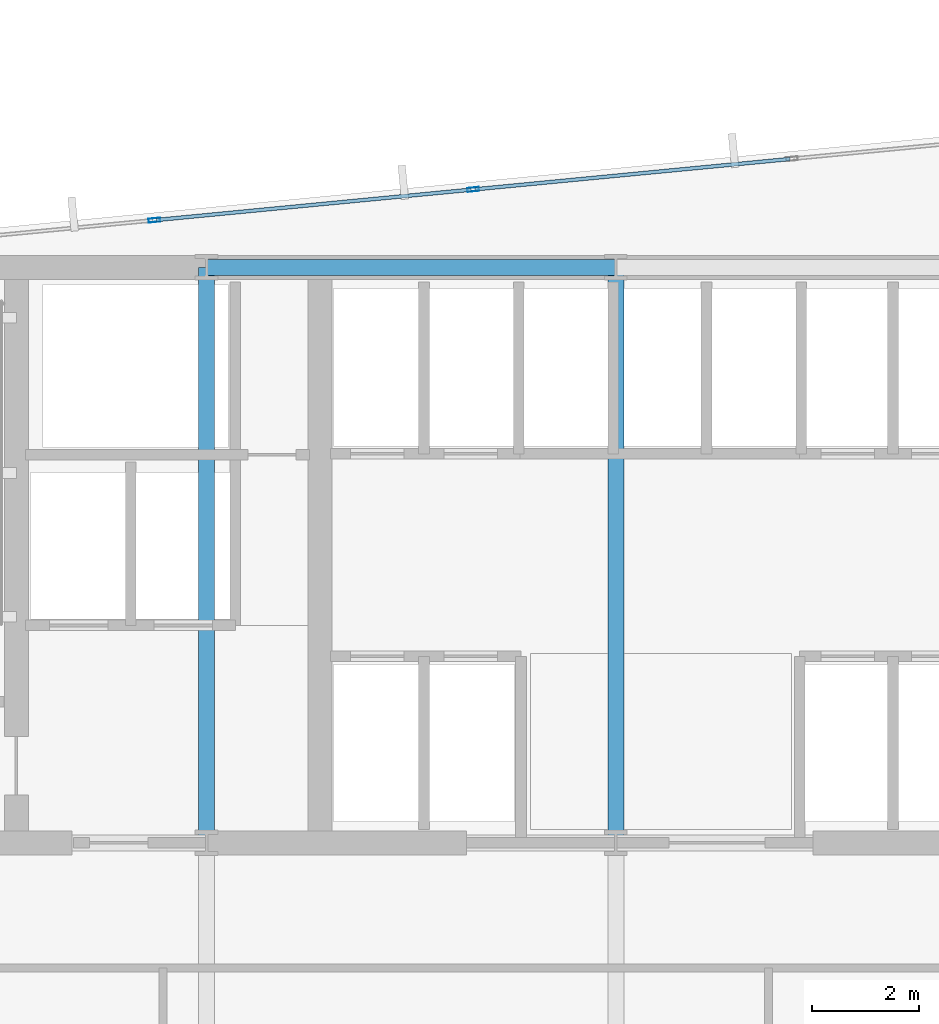
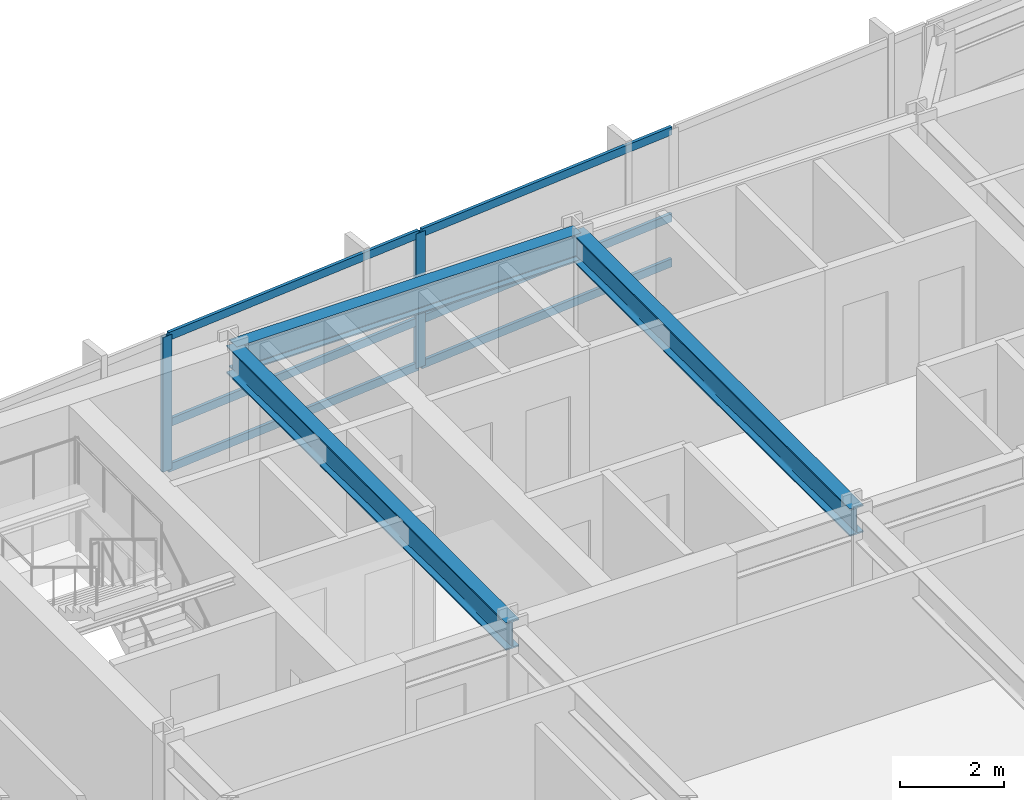
# One storey, part 19 of 33: 8 members, 3 beams, 1 element without a shape of its own.
"""IFC4 building model written with IfcOpenShell, lengths in metres."""

from ifc_helpers import new_model, si_unit, direction, frame, origin, origin_2d, place, context, subcontext, project, spatial, hollow_rectangle, i_section, extrude, material, material_profile, profile_set, type_object, element, aggregate, save


model = new_model("IFC4")

# Units and contexts
model_context = context("Model", 3, precision=1e-05, world=origin(), true_north=direction((0.0, 1.0)))
body_context = subcontext(model_context, "Body", "Model", "MODEL_VIEW")
ifc_project = project(units=[si_unit("LENGTHUNIT", "METRE"), si_unit("AREAUNIT", "SQUARE_METRE"), si_unit("VOLUMEUNIT", "CUBIC_METRE"), si_unit("PLANEANGLEUNIT", "RADIAN"), si_unit("MASSUNIT", "GRAM", prefix="KILO")], contexts=[model_context])

# Site, building, storey
site_placement = place(None, origin())
site = spatial("IfcSite", under=ifc_project, at=site_placement, CompositionType="ELEMENT")
building_placement = place(site_placement, origin())
building = spatial("IfcBuilding", under=site, at=building_placement, Name="Yelkora Congress Tower", CompositionType="ELEMENT")
storey_placement = place(building_placement, frame((0.0, 0.0, 89.699951171875)))
storey = spatial("IfcBuildingStorey", under=building, at=storey_placement, Name="L23", CompositionType="ELEMENT", Elevation=89.699951171875)

# Beams
ifc_material_1 = material(Name="Steel S355J2", Category="steel")
ifc_material_profile_1 = material_profile(ifc_material_1, i_section(OverallWidth=0.300048828125, OverallDepth=0.64990234375, WebThickness=0.01611328125, FlangeThickness=0.031005859375, FilletRadius=0.027099609375, at=origin_2d()), Name="HEB 650")
ifc_profile_set_1 = profile_set([ifc_material_profile_1], Name="Steel S355J2")
beam_type = type_object("IfcBeamType", Name="BM-GIRD-HEB650", PredefinedType="BEAM", material=ifc_profile_set_1)
beam_placement = place(storey_placement, frame((30.719970703125, 46.199951171875, 2.85498046875), z_axis=(1.0, 0.0, 0.0), x_axis=(0.0, 1.0, 0.0)))
element("IfcBeam", 1, at=beam_placement, inside=storey, type_object=beam_type, Name="L23 Core North Girder 3", PredefinedType="BEAM", context=body_context, shape_type="SweptSolid", body=[
    extrude(i_section(OverallWidth=0.300048828125, OverallDepth=0.64990234375, WebThickness=0.01611328125, FlangeThickness=0.031005859375, FilletRadius=0.027099609375, at=origin_2d()), origin(), (0.0, 0.0, 1.0), 7.679931640625),
])
for number, where, z_axis, x_axis, name in (
    (2, (30.719970703125, 35.39990234375, 2.85498046875), (0.0, 1.0, 0.0), (-1.0, 0.0, 0.0), "L23 Core Tie Girder MC-S2"),
    (3, (38.39990234375, 35.39990234375, 2.85498046875), (0.0, 1.0, 0.0), (-1.0, 0.0, 0.0), "L23 Core Tie Girder MC-S3"),
):
    element("IfcBeam", number, at=place(storey_placement, frame(where, z_axis=z_axis, x_axis=x_axis)), inside=storey, type_object=beam_type, Name=name, PredefinedType="BEAM", context=body_context, shape_type="SweptSolid", body=[
        extrude(i_section(OverallWidth=0.300048828125, OverallDepth=0.64990234375, WebThickness=0.01611328125, FlangeThickness=0.031005859375, FilletRadius=0.027099609375, at=origin_2d()), origin(), (0.0, 0.0, 1.0), 10.800048828125),
    ])

# Curtain wall, members
ifc_material_2 = material(Name="Anodised aluminium and insulated glass", Category="aluminium")
curtain_wall_type = type_object("IfcCurtainWallType", Name="CW-SYS-SKY", PredefinedType="NOTDEFINED", material=ifc_material_2)
curtain_wall_placement = place(storey_placement, origin())
curtain_wall = element("IfcCurtainWall", 4, at=curtain_wall_placement, inside=storey, type_object=curtain_wall_type, Name="L23 Unitised Curtain Wall 10 (3)", PredefinedType="NOTDEFINED")
ifc_material_3 = material(Name="Anodised aluminium 6063-T6", Category="aluminium")
ifc_material_profile_2 = material_profile(ifc_material_3, hollow_rectangle(XDim=0.074951171875, YDim=0.219970703125, WallThickness=0.0048828125, at=origin_2d()), Name="ALU 75x220x5")
ifc_profile_set_2 = profile_set([ifc_material_profile_2], Name="Anodised aluminium 6063-T6")
member_type_1 = type_object("IfcMemberType", Name="MEM-ML-SKY", PredefinedType="MULLION", material=ifc_profile_set_2)
member_1_placement = place(storey_placement, frame((29.741455078125, 47.083251953125, 0.0), z_axis=(0.0, 0.0, 1.0), x_axis=(-0.095845465919, 0.995396225964, 0.0)))
member_1 = element("IfcMember", 5, at=member_1_placement, type_object=member_type_1, Name="CW-SKY mullion 2", PredefinedType="MULLION", context=body_context, shape_type="SweptSolid", body=[
    extrude(hollow_rectangle(XDim=0.074951171875, YDim=0.219970703125, WallThickness=0.0048828125, at=origin_2d()), origin(), (0.0, 0.0, 1.0), 3.179931640625),
])
member_2_placement = place(storey_placement, frame((35.722900390625, 47.6591796875, 0.0), z_axis=(0.0, 0.0, 1.0), x_axis=(-0.095845465919, 0.995396225964, 0.0)))
member_2 = element("IfcMember", 6, at=member_2_placement, type_object=member_type_1, Name="CW-SKY mullion 3", PredefinedType="MULLION", context=body_context, shape_type="SweptSolid", body=[
    extrude(hollow_rectangle(XDim=0.074951171875, YDim=0.219970703125, WallThickness=0.0048828125, at=origin_2d()), origin(), (0.0, 0.0, 1.0), 3.179931640625),
])
ifc_material_profile_3 = material_profile(ifc_material_3, hollow_rectangle(XDim=0.070068359375, YDim=0.18994140625, WallThickness=0.00390625, at=origin_2d()), Name="ALU 70x190x4")
ifc_profile_set_3 = profile_set([ifc_material_profile_3], Name="Anodised aluminium 6063-T6")
member_type_2 = type_object("IfcMemberType", Name="MEM-TR-SKY", PredefinedType="USERDEFINED", material=ifc_profile_set_3)
member_3_placement = place(storey_placement, frame((29.77880859375, 47.0869140625, 0.03515625), z_axis=(0.995398620789, 0.095820591379, 0.0), x_axis=(-0.095820591379, 0.995398620789, 0.0)))
member_3 = element("IfcMember", 7, at=member_3_placement, type_object=member_type_2, Name="CW-SKY transom 2.1", ObjectType="TRANSOM", PredefinedType="USERDEFINED", context=body_context, shape_type="SweptSolid", body=[
    extrude(hollow_rectangle(XDim=0.070068359375, YDim=0.18994140625, WallThickness=0.00390625, at=origin_2d()), origin(), (0.0, 0.0, 1.0), 5.93408203125),
])
member_4_placement = place(storey_placement, frame((29.77880859375, 47.0869140625, 1.10009765625), z_axis=(0.995398620789, 0.095820591379, 0.0), x_axis=(-0.095820591379, 0.995398620789, 0.0)))
member_4 = element("IfcMember", 8, at=member_4_placement, type_object=member_type_2, Name="CW-SKY transom 2.2", ObjectType="TRANSOM", PredefinedType="USERDEFINED", context=body_context, shape_type="SweptSolid", body=[
    extrude(hollow_rectangle(XDim=0.070068359375, YDim=0.18994140625, WallThickness=0.00390625, at=origin_2d()), origin(), (0.0, 0.0, 1.0), 5.93408203125),
])
member_5_placement = place(storey_placement, frame((29.77880859375, 47.0869140625, 3.14501953125), z_axis=(0.995398620789, 0.095820591379, 0.0), x_axis=(-0.095820591379, 0.995398620789, 0.0)))
member_5 = element("IfcMember", 9, at=member_5_placement, type_object=member_type_2, Name="CW-SKY transom 2.3", ObjectType="TRANSOM", PredefinedType="USERDEFINED", context=body_context, shape_type="SweptSolid", body=[
    extrude(hollow_rectangle(XDim=0.070068359375, YDim=0.18994140625, WallThickness=0.00390625, at=origin_2d()), origin(), (0.0, 0.0, 1.0), 5.93408203125),
])
member_6_placement = place(storey_placement, frame((35.76025390625, 47.662841796875, 0.03515625), z_axis=(0.995398998518, 0.095816667392, 0.0), x_axis=(-0.095816667392, 0.995398998518, 0.0)))
member_6 = element("IfcMember", 10, at=member_6_placement, type_object=member_type_2, Name="CW-SKY transom 3.1", ObjectType="TRANSOM", PredefinedType="USERDEFINED", context=body_context, shape_type="SweptSolid", body=[
    extrude(hollow_rectangle(XDim=0.070068359375, YDim=0.18994140625, WallThickness=0.00390625, at=origin_2d()), origin(), (0.0, 0.0, 1.0), 5.934326171875),
])
member_7_placement = place(storey_placement, frame((35.76025390625, 47.662841796875, 1.10009765625), z_axis=(0.995398998518, 0.095816667392, 0.0), x_axis=(-0.095816667392, 0.995398998518, 0.0)))
member_7 = element("IfcMember", 11, at=member_7_placement, type_object=member_type_2, Name="CW-SKY transom 3.2", ObjectType="TRANSOM", PredefinedType="USERDEFINED", context=body_context, shape_type="SweptSolid", body=[
    extrude(hollow_rectangle(XDim=0.070068359375, YDim=0.18994140625, WallThickness=0.00390625, at=origin_2d()), origin(), (0.0, 0.0, 1.0), 5.934326171875),
])
member_8_placement = place(storey_placement, frame((35.76025390625, 47.662841796875, 3.14501953125), z_axis=(0.995398998518, 0.095816667392, 0.0), x_axis=(-0.095816667392, 0.995398998518, 0.0)))
member_8 = element("IfcMember", 12, at=member_8_placement, type_object=member_type_2, Name="CW-SKY transom 3.3", ObjectType="TRANSOM", PredefinedType="USERDEFINED", context=body_context, shape_type="SweptSolid", body=[
    extrude(hollow_rectangle(XDim=0.070068359375, YDim=0.18994140625, WallThickness=0.00390625, at=origin_2d()), origin(), (0.0, 0.0, 1.0), 5.934326171875),
])
aggregate(curtain_wall, [member_1, member_2, member_3, member_4, member_5, member_6, member_7, member_8])

save(model, "model.ifc")
